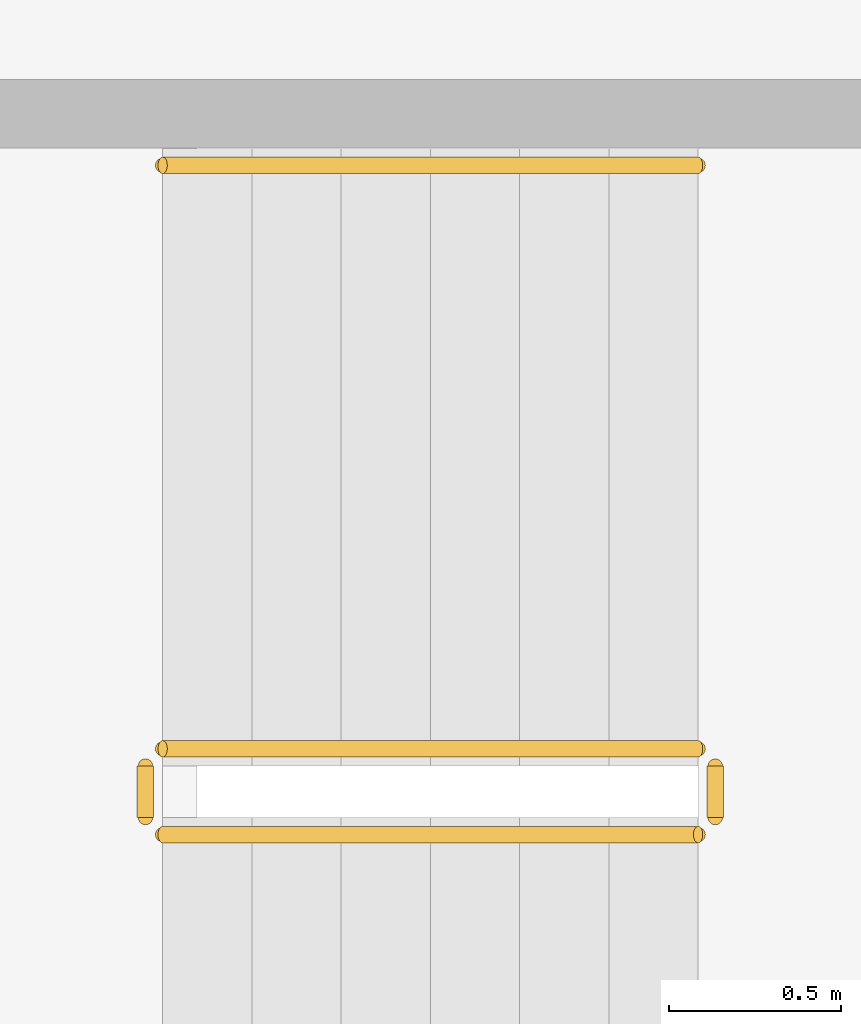
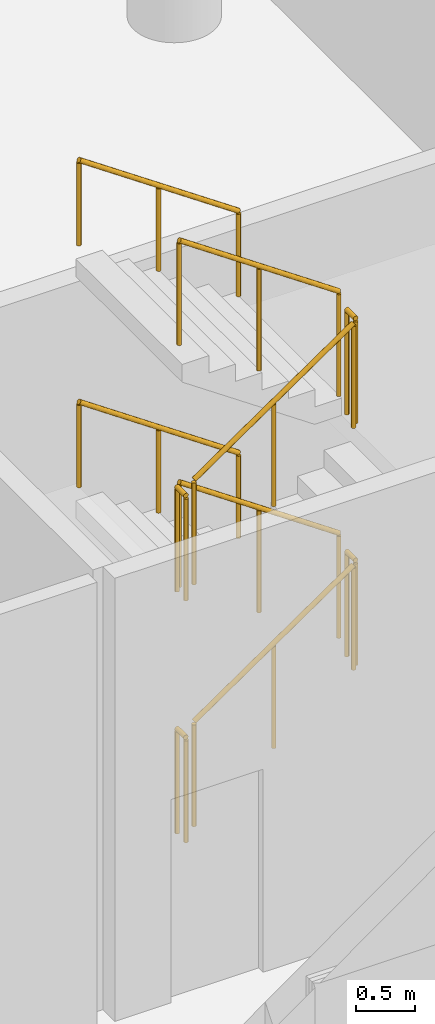
# One storey, part 53 of 59: 10 railings.
"""IFC4 building model written with IfcOpenShell, lengths in metres."""

from ifc_helpers import new_model, si_unit, direction, frame, origin, origin_2d, place, context, subcontext, project, spatial, circle, extrude, material, type_object, element, save


model = new_model("IFC4")

# Units and contexts
model_context = context("Model", 3, precision=1e-05, world=origin(), true_north=direction((0.0, 1.0)))
body_context = subcontext(model_context, "Body", "Model", "MODEL_VIEW")
ifc_project = project(units=[si_unit("LENGTHUNIT", "METRE"), si_unit("AREAUNIT", "SQUARE_METRE"), si_unit("VOLUMEUNIT", "CUBIC_METRE"), si_unit("PLANEANGLEUNIT", "RADIAN"), si_unit("MASSUNIT", "GRAM", prefix="KILO")], contexts=[model_context])

# Site, building, storey
site_placement = place(None, origin())
site = spatial("IfcSite", under=ifc_project, at=site_placement, CompositionType="ELEMENT")
building_placement = place(site_placement, origin())
building = spatial("IfcBuilding", under=site, at=building_placement, Name="Ipe Terrace Towers", CompositionType="ELEMENT")
storey_placement = place(building_placement, frame((0.0, 0.0, 6.0)))
storey = spatial("IfcBuildingStorey", under=building, at=storey_placement, Name="L01", CompositionType="ELEMENT", Elevation=6.0)

# Railings
ifc_material_1 = material(Name="Steel S355", Category="steel")
railing_type_1 = type_object("IfcRailingType", Name="Stair guard 1100", PredefinedType="GUARDRAIL", material=ifc_material_1)
railing_1_placement = place(storey_placement, frame((-3.75, -21.64990234375, 0.178466796875)))
element("IfcRailing", 1, at=railing_1_placement, inside=storey, type_object=railing_type_1, Name="L01 PS5 stair guard 1", PredefinedType="GUARDRAIL", context=body_context, shape_type="SweptSolid", body=[
    extrude(circle(Radius=0.02392578125, at=origin_2d()), frame((0.0, 0.0, 1.076171875), z_axis=(0.82429025813, 0.0, 0.566167440208), x_axis=(0.0, 1.0, 0.0)), (0.0, 0.0, 1.0), 1.892578125),
    extrude(circle(Radius=0.02099609375, at=origin_2d()), origin(), (0.0, 0.0, 1.0), 1.052001953125),
    extrude(circle(Radius=0.02099609375, at=origin_2d()), frame((0.780029296875, 0.0, 0.53564453125)), (0.0, 0.0, 1.0), 1.052001953125),
    extrude(circle(Radius=0.02099609375, at=origin_2d()), frame((1.56005859375, 0.0, 1.071533203125)), (0.0, 0.0, 1.0), 1.052001953125),
])
railing_2_placement = place(storey_placement, frame((-2.139892578125, -21.60009765625, 1.25)))
element("IfcRailing", 2, at=railing_2_placement, inside=storey, type_object=railing_type_1, Name="L01 PS5 stair guard 2", PredefinedType="GUARDRAIL", context=body_context, shape_type="SweptSolid", body=[
    extrude(circle(Radius=0.02392578125, at=origin_2d()), frame((0.0, 0.0, 1.076171875), z_axis=(0.0, 1.0, 0.0), x_axis=(-1.0, 0.0, 0.0)), (0.0, 0.0, 1.0), 0.150146484375),
    extrude(circle(Radius=0.02099609375, at=origin_2d()), origin(), (0.0, 0.0, 1.0), 1.052001953125),
    extrude(circle(Radius=0.02099609375, at=origin_2d()), frame((0.0, 0.150146484375, 0.0)), (0.0, 0.0, 1.0), 1.052001953125),
])
railing_3_placement = place(storey_placement, frame((-2.18994140625, -21.39990234375, 1.428466796875)))
element("IfcRailing", 3, at=railing_3_placement, inside=storey, type_object=railing_type_1, Name="L01 PS5 stair guard 3", PredefinedType="GUARDRAIL", context=body_context, shape_type="SweptSolid", body=[
    extrude(circle(Radius=0.02392578125, at=origin_2d()), frame((0.0, 0.0, 1.076171875), z_axis=(-0.82429025813, 0.0, 0.566167440208), x_axis=(0.0, -1.0, 0.0)), (0.0, 0.0, 1.0), 1.892578125),
    extrude(circle(Radius=0.02099609375, at=origin_2d()), origin(), (0.0, 0.0, 1.0), 1.052001953125),
    extrude(circle(Radius=0.02099609375, at=origin_2d()), frame((-0.780029296875, 0.0, 0.53564453125)), (0.0, 0.0, 1.0), 1.052001953125),
    extrude(circle(Radius=0.02099609375, at=origin_2d()), frame((-1.56005859375, 0.0, 1.071533203125)), (0.0, 0.0, 1.0), 1.052001953125),
])
railing_4_placement = place(storey_placement, frame((-3.800048828125, -21.60009765625, 2.5)))
element("IfcRailing", 4, at=railing_4_placement, inside=storey, type_object=railing_type_1, Name="L01 PS5 stair guard 4", PredefinedType="GUARDRAIL", context=body_context, shape_type="SweptSolid", body=[
    extrude(circle(Radius=0.02392578125, at=origin_2d()), frame((0.0, 0.0, 1.076171875), z_axis=(0.0, 1.0, 0.0), x_axis=(-1.0, 0.0, 0.0)), (0.0, 0.0, 1.0), 0.150146484375),
    extrude(circle(Radius=0.02099609375, at=origin_2d()), origin(), (0.0, 0.0, 1.0), 1.052001953125),
    extrude(circle(Radius=0.02099609375, at=origin_2d()), frame((0.0, 0.150146484375, 0.0)), (0.0, 0.0, 1.0), 1.052001953125),
])
railing_5_placement = place(storey_placement, frame((-3.75, -21.64990234375, 2.678466796875)))
element("IfcRailing", 5, at=railing_5_placement, inside=storey, type_object=railing_type_1, Name="L01 PS5 stair guard 5", PredefinedType="GUARDRAIL", context=body_context, shape_type="SweptSolid", body=[
    extrude(circle(Radius=0.02392578125, at=origin_2d()), frame((0.0, 0.0, 1.076171875), z_axis=(0.82429025813, 0.0, 0.566167440208), x_axis=(0.0, 1.0, 0.0)), (0.0, 0.0, 1.0), 1.892578125),
    extrude(circle(Radius=0.02099609375, at=origin_2d()), origin(), (0.0, 0.0, 1.0), 1.052001953125),
    extrude(circle(Radius=0.02099609375, at=origin_2d()), frame((0.780029296875, 0.0, 0.53564453125)), (0.0, 0.0, 1.0), 1.052001953125),
    extrude(circle(Radius=0.02099609375, at=origin_2d()), frame((1.56005859375, 0.0, 1.071533203125)), (0.0, 0.0, 1.0), 1.052001953125),
])
railing_6_placement = place(storey_placement, frame((-2.139892578125, -21.60009765625, 3.75)))
element("IfcRailing", 6, at=railing_6_placement, inside=storey, type_object=railing_type_1, Name="L01 PS5 stair guard 6", PredefinedType="GUARDRAIL", context=body_context, shape_type="SweptSolid", body=[
    extrude(circle(Radius=0.02392578125, at=origin_2d()), frame((0.0, 0.0, 1.076171875), z_axis=(0.0, 1.0, 0.0), x_axis=(-1.0, 0.0, 0.0)), (0.0, 0.0, 1.0), 0.150146484375),
    extrude(circle(Radius=0.02099609375, at=origin_2d()), origin(), (0.0, 0.0, 1.0), 1.052001953125),
    extrude(circle(Radius=0.02099609375, at=origin_2d()), frame((0.0, 0.150146484375, 0.0)), (0.0, 0.0, 1.0), 1.052001953125),
])
railing_7_placement = place(storey_placement, frame((-2.18994140625, -21.39990234375, 3.928466796875)))
element("IfcRailing", 7, at=railing_7_placement, inside=storey, type_object=railing_type_1, Name="L01 PS5 stair guard 7", PredefinedType="GUARDRAIL", context=body_context, shape_type="SweptSolid", body=[
    extrude(circle(Radius=0.02392578125, at=origin_2d()), frame((0.0, 0.0, 1.076171875), z_axis=(-0.82429025813, 0.0, 0.566167440208), x_axis=(0.0, -1.0, 0.0)), (0.0, 0.0, 1.0), 1.892578125),
    extrude(circle(Radius=0.02099609375, at=origin_2d()), origin(), (0.0, 0.0, 1.0), 1.052001953125),
    extrude(circle(Radius=0.02099609375, at=origin_2d()), frame((-0.780029296875, 0.0, 0.53564453125)), (0.0, 0.0, 1.0), 1.052001953125),
    extrude(circle(Radius=0.02099609375, at=origin_2d()), frame((-1.56005859375, 0.0, 1.071533203125)), (0.0, 0.0, 1.0), 1.052001953125),
])
railing_8_placement = place(storey_placement, frame((-3.800048828125, -21.60009765625, 0.0)))
element("IfcRailing", 8, at=railing_8_placement, inside=storey, type_object=railing_type_1, Name="L01 PS5 stair guard 8", PredefinedType="GUARDRAIL", context=body_context, shape_type="SweptSolid", body=[
    extrude(circle(Radius=0.02392578125, at=origin_2d()), frame((0.0, 0.0, 1.076171875), z_axis=(0.0, 1.0, 0.0), x_axis=(-1.0, 0.0, 0.0)), (0.0, 0.0, 1.0), 0.150146484375),
    extrude(circle(Radius=0.02099609375, at=origin_2d()), origin(), (0.0, 0.0, 1.0), 1.052001953125),
    extrude(circle(Radius=0.02099609375, at=origin_2d()), frame((0.0, 0.150146484375, 0.0)), (0.0, 0.0, 1.0), 1.052001953125),
])
ifc_material_2 = material(Name="Stainless steel grade 304", Category="steel")
railing_type_2 = type_object("IfcRailingType", Name="Stair handrail 900", PredefinedType="HANDRAIL", material=ifc_material_2)
for number, where, name in (
    (9, (-2.18994140625, -19.699951171875, 1.428466796875), "L01 PS5 stair handrail 2"),
    (10, (-2.18994140625, -19.699951171875, 3.928466796875), "L01 PS5 stair handrail 4"),
):
    element("IfcRailing", number, at=place(storey_placement, frame(where)), inside=storey, type_object=railing_type_2, Name=name, PredefinedType="HANDRAIL", context=body_context, shape_type="SweptSolid", body=[
        extrude(circle(Radius=0.02392578125, at=origin_2d()), frame((0.0, 0.0, 0.8759765625), z_axis=(-0.82429025813, 0.0, 0.566167440208), x_axis=(0.0, -1.0, 0.0)), (0.0, 0.0, 1.0), 1.892578125),
        extrude(circle(Radius=0.02099609375, at=origin_2d()), origin(), (0.0, 0.0, 1.0), 0.851806640625),
        extrude(circle(Radius=0.02099609375, at=origin_2d()), frame((-0.780029296875, 0.0, 0.53564453125)), (0.0, 0.0, 1.0), 0.851806640625),
        extrude(circle(Radius=0.02099609375, at=origin_2d()), frame((-1.56005859375, 0.0, 1.071533203125)), (0.0, 0.0, 1.0), 0.851806640625),
    ])

save(model, "model.ifc")
